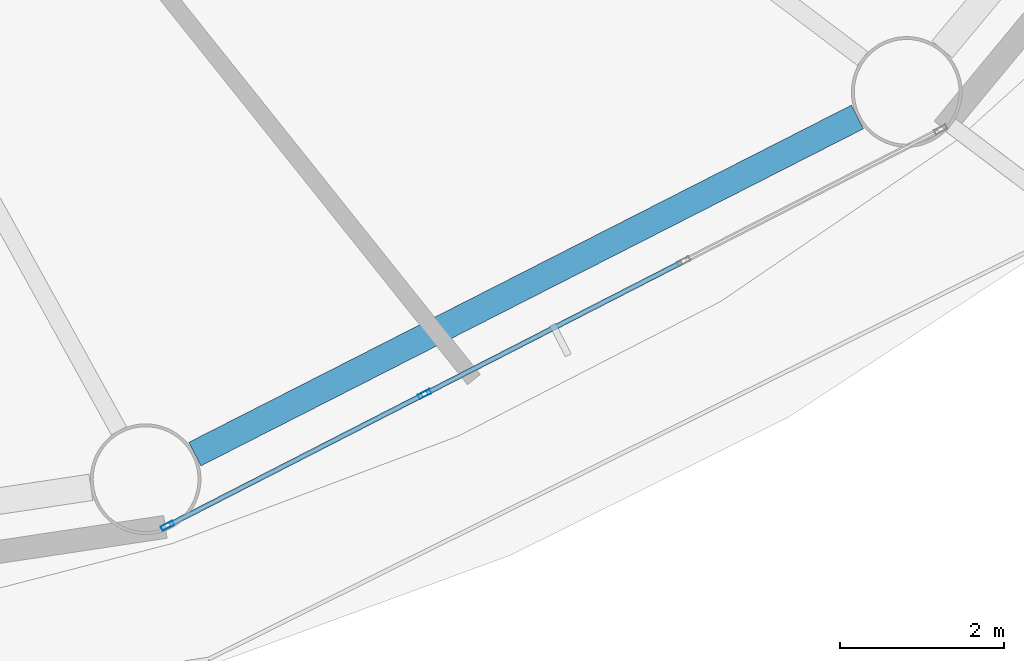
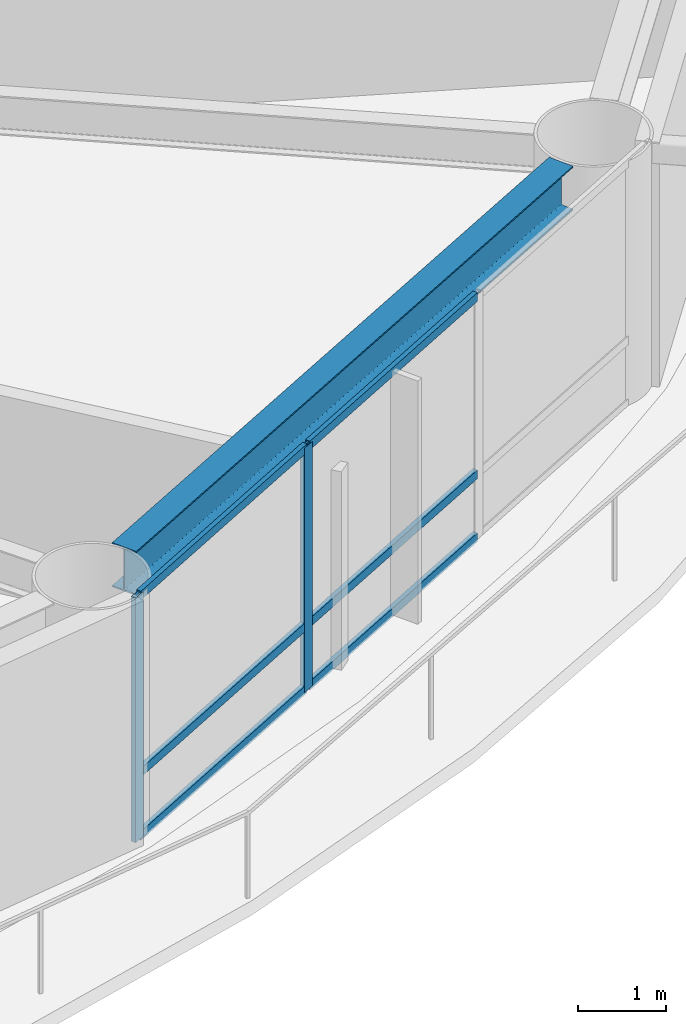
# One storey, part 4 of 24: 8 members, 1 beam, 1 element without a shape of its own.
"""IFC4 building model written with IfcOpenShell, lengths in metres."""

from ifc_helpers import new_model, si_unit, direction, frame, origin, origin_2d, place, context, subcontext, project, spatial, hollow_rectangle, i_section, extrude, material, layer, layer_set, material_profile, profile_set, type_object, element, aggregate, save


model = new_model("IFC4")

# Units and contexts
model_context = context("Model", 3, precision=1e-05, world=origin(), true_north=direction((0.0, 1.0)))
body_context = subcontext(model_context, "Body", "Model", "MODEL_VIEW")
ifc_project = project(units=[si_unit("LENGTHUNIT", "METRE"), si_unit("AREAUNIT", "SQUARE_METRE"), si_unit("VOLUMEUNIT", "CUBIC_METRE"), si_unit("PLANEANGLEUNIT", "RADIAN"), si_unit("MASSUNIT", "GRAM", prefix="KILO")], contexts=[model_context])

# Site, building, storey
site_placement = place(None, origin())
site = spatial("IfcSite", under=ifc_project, at=site_placement, CompositionType="ELEMENT")
building_placement = place(site_placement, origin())
building = spatial("IfcBuilding", under=site, at=building_placement, Name="Sarneth Arch Tower", CompositionType="ELEMENT")
storey_placement = place(building_placement, frame((0.0, 0.0, 87.60009765625)))
storey = spatial("IfcBuildingStorey", under=building, at=storey_placement, Name="L21", CompositionType="ELEMENT", Elevation=87.60009765625)

# Beam
ifc_material_1 = material(Name="Steel S355", Category="steel")
ifc_material_profile_1 = material_profile(ifc_material_1, i_section(OverallWidth=0.323974609375, OverallDepth=0.611083984375, WebThickness=0.0126953125, FlangeThickness=0.01904296875, FilletRadius=0.01904296875, at=origin_2d()), Name="W610x155")
ifc_profile_set_1 = profile_set([ifc_material_profile_1], Name="Steel S355")
beam_type = type_object("IfcBeamType", Name="BM-SPAN-610B", PredefinedType="SPANDREL", material=ifc_profile_set_1)
beam_placement = place(storey_placement, frame((59.7119140625, 22.16552734375, 3.074462890625), z_axis=(0.891255891792, 0.453500755619, 0.0), x_axis=(-0.453500755619, 0.891255891792, 0.0)))
element("IfcBeam", 1, at=beam_placement, inside=storey, type_object=beam_type, Name="L21 Perimeter spandrel beam 14", PredefinedType="SPANDREL", context=body_context, shape_type="SweptSolid", body=[
    extrude(i_section(OverallWidth=0.323974609375, OverallDepth=0.611083984375, WebThickness=0.0126953125, FlangeThickness=0.01904296875, FilletRadius=0.01904296875, at=origin_2d()), origin(), (0.0, 0.0, 1.0), 9.070556640625),
])

# Curtain wall, members
ifc_material_2 = material(Name="Anodised aluminium Type AA25 and solar-control low-e laminated IGU", Category="aluminium")
ifc_layer = layer(ifc_material_2, 0.159912109375)
ifc_layer_set = layer_set([ifc_layer], Name="Anodised aluminium Type AA25 and solar-control low-e laminated IGU")
curtain_wall_type = type_object("IfcCurtainWallType", Name="CW-HOTEL-MID", PredefinedType="NOTDEFINED", material=ifc_layer_set)
curtain_wall_placement = place(storey_placement, origin())
curtain_wall = element("IfcCurtainWall", 2, at=curtain_wall_placement, inside=storey, type_object=curtain_wall_type, Name="L21 Unitised curtain wall facet 14", PredefinedType="NOTDEFINED")
ifc_material_3 = material(Name="Anodised Aluminium 6063-T6", Category="aluminium")
ifc_material_profile_2 = material_profile(ifc_material_3, hollow_rectangle(XDim=0.06005859375, YDim=0.159912109375, WallThickness=0.00390625, at=origin_2d()), Name="AL-MULL-160x60x4")
ifc_profile_set_2 = profile_set([ifc_material_profile_2], Name="Anodised Aluminium 6063-T6")
member_type_1 = type_object("IfcMemberType", Name="CW-MULLION", PredefinedType="MULLION", material=ifc_profile_set_2)
member_1_placement = place(storey_placement, frame((59.3779296875, 21.291015625, 0.0), z_axis=(0.0, 0.0, 1.0), x_axis=(-0.456031365356, 0.889963703649, 0.0)))
member_1 = element("IfcMember", 3, at=member_1_placement, type_object=member_type_1, Name="CW-SYS-4 mullion 1", PredefinedType="MULLION", context=body_context, shape_type="SweptSolid", body=[
    extrude(hollow_rectangle(XDim=0.06005859375, YDim=0.159912109375, WallThickness=0.00390625, at=origin_2d()), origin(), (0.0, 0.0, 1.0), 3.3798828125),
])
member_2_placement = place(storey_placement, frame((62.51416015625, 22.898193359375, 0.0), z_axis=(0.0, 0.0, 1.0), x_axis=(-0.456031365356, 0.889963703649, 0.0)))
member_2 = element("IfcMember", 4, at=member_2_placement, type_object=member_type_1, Name="CW-SYS-4 mullion 2", PredefinedType="MULLION", context=body_context, shape_type="SweptSolid", body=[
    extrude(hollow_rectangle(XDim=0.06005859375, YDim=0.159912109375, WallThickness=0.00390625, at=origin_2d()), origin(), (0.0, 0.0, 1.0), 3.3798828125),
])
ifc_material_4 = material(Name="Anodised Aluminium 6063-T6", Category="aluminium")
ifc_material_profile_3 = material_profile(ifc_material_4, hollow_rectangle(XDim=0.06005859375, YDim=0.1201171875, WallThickness=0.00390625, at=origin_2d()), Name="AL-TRAN-120x60x4")
ifc_profile_set_3 = profile_set([ifc_material_profile_3], Name="Anodised Aluminium 6063-T6")
member_type_2 = type_object("IfcMemberType", Name="CW-TRANSOM", PredefinedType="USERDEFINED", material=ifc_profile_set_3)
member_3_placement = place(storey_placement, frame((59.404541015625, 21.3046875, 0.02978515625), z_axis=(0.889957563627, 0.456043347658, 0.0), x_axis=(-0.456043347658, 0.889957563627, 0.0)))
member_3 = element("IfcMember", 5, at=member_3_placement, type_object=member_type_2, Name="CW-SYS-4 transom 1.1", ObjectType="TRANSOM", PredefinedType="USERDEFINED", context=body_context, shape_type="SweptSolid", body=[
    extrude(hollow_rectangle(XDim=0.06005859375, YDim=0.1201171875, WallThickness=0.00390625, at=origin_2d()), origin(), (0.0, 0.0, 1.0), 3.464111328125),
])
member_4_placement = place(storey_placement, frame((59.404541015625, 21.3046875, 0.89990234375), z_axis=(0.889957563627, 0.456043347658, 0.0), x_axis=(-0.456043347658, 0.889957563627, 0.0)))
member_4 = element("IfcMember", 6, at=member_4_placement, type_object=member_type_2, Name="CW-SYS-4 transom 1.2", ObjectType="TRANSOM", PredefinedType="USERDEFINED", context=body_context, shape_type="SweptSolid", body=[
    extrude(hollow_rectangle(XDim=0.06005859375, YDim=0.1201171875, WallThickness=0.00390625, at=origin_2d()), origin(), (0.0, 0.0, 1.0), 3.464111328125),
])
member_5_placement = place(storey_placement, frame((59.404541015625, 21.3046875, 3.349853515625), z_axis=(0.889957563627, 0.456043347658, 0.0), x_axis=(-0.456043347658, 0.889957563627, 0.0)))
member_5 = element("IfcMember", 7, at=member_5_placement, type_object=member_type_2, Name="CW-SYS-4 transom 1.3", ObjectType="TRANSOM", PredefinedType="USERDEFINED", context=body_context, shape_type="SweptSolid", body=[
    extrude(hollow_rectangle(XDim=0.06005859375, YDim=0.1201171875, WallThickness=0.00390625, at=origin_2d()), origin(), (0.0, 0.0, 1.0), 3.464111328125),
])
member_6_placement = place(storey_placement, frame((62.540771484375, 22.911865234375, 0.02978515625), z_axis=(0.889981813856, 0.455996020823, 0.0), x_axis=(-0.455996020823, 0.889981813856, 0.0)))
member_6 = element("IfcMember", 8, at=member_6_placement, type_object=member_type_2, Name="CW-SYS-4 transom 2.1", ObjectType="TRANSOM", PredefinedType="USERDEFINED", context=body_context, shape_type="SweptSolid", body=[
    extrude(hollow_rectangle(XDim=0.06005859375, YDim=0.1201171875, WallThickness=0.00390625, at=origin_2d()), origin(), (0.0, 0.0, 1.0), 3.494140625),
])
member_7_placement = place(storey_placement, frame((62.540771484375, 22.911865234375, 0.89990234375), z_axis=(0.889981813856, 0.455996020823, 0.0), x_axis=(-0.455996020823, 0.889981813856, 0.0)))
member_7 = element("IfcMember", 9, at=member_7_placement, type_object=member_type_2, Name="CW-SYS-4 transom 2.2", ObjectType="TRANSOM", PredefinedType="USERDEFINED", context=body_context, shape_type="SweptSolid", body=[
    extrude(hollow_rectangle(XDim=0.06005859375, YDim=0.1201171875, WallThickness=0.00390625, at=origin_2d()), origin(), (0.0, 0.0, 1.0), 3.494140625),
])
member_8_placement = place(storey_placement, frame((62.540771484375, 22.911865234375, 3.349853515625), z_axis=(0.889981813856, 0.455996020823, 0.0), x_axis=(-0.455996020823, 0.889981813856, 0.0)))
member_8 = element("IfcMember", 10, at=member_8_placement, type_object=member_type_2, Name="CW-SYS-4 transom 2.3", ObjectType="TRANSOM", PredefinedType="USERDEFINED", context=body_context, shape_type="SweptSolid", body=[
    extrude(hollow_rectangle(XDim=0.06005859375, YDim=0.1201171875, WallThickness=0.00390625, at=origin_2d()), origin(), (0.0, 0.0, 1.0), 3.494140625),
])
aggregate(curtain_wall, [member_1, member_2, member_3, member_4, member_5, member_6, member_7, member_8])

save(model, "model.ifc")
